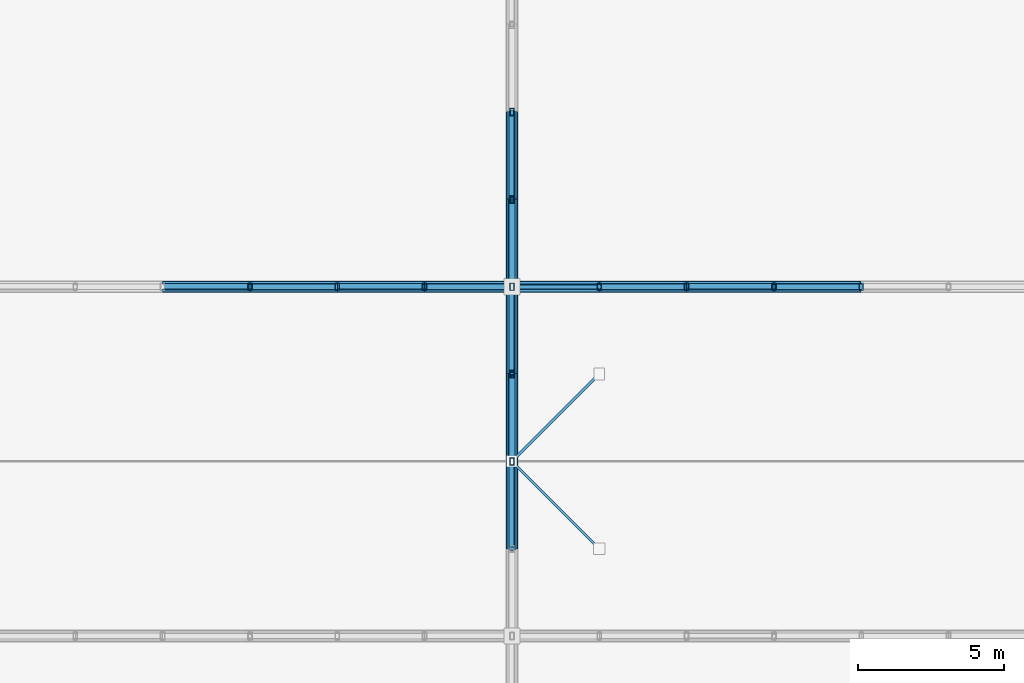
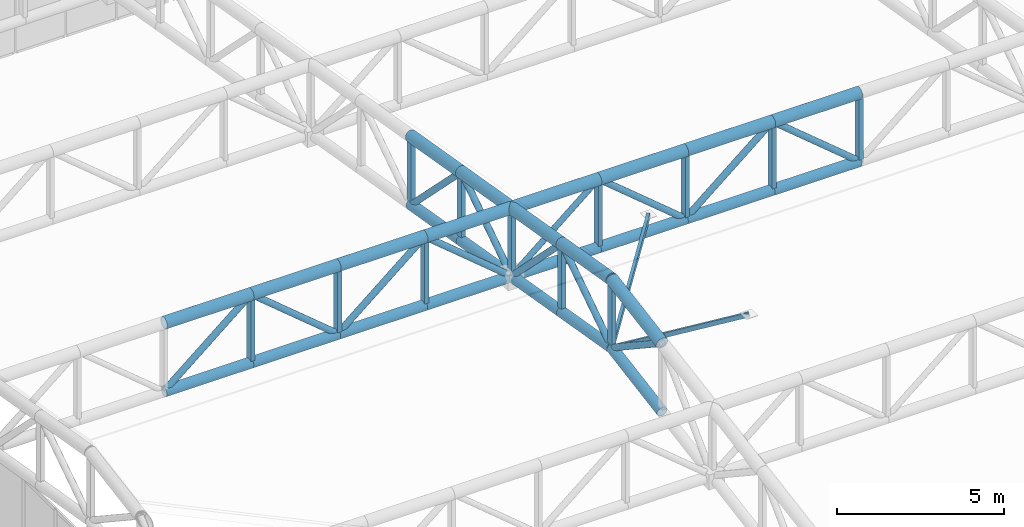
# One storey, part 90 of 239: 53 members.
"""IFC4 building model written with IfcOpenShell, lengths in metres."""

import ifcopenshell
import ifcopenshell.guid

model = None  # the IFC model being written
_history = None  # IfcOwnerHistory: only IFC2X3 demands one
_inside = {}  # id of a spatial element -> (the spatial element, [elements in it])
_under = {}  # id of a project, library or spatial element -> (it, [spatial elements below it])
_declared = {}  # id of a project -> (the project, [libraries it declares])
_typed = {}  # id of a type object -> (the type object, [elements of that type])
_made_of = {}  # id of a material, layer set ... -> (it, [elements and type objects made of it])


def new_model(schema):
    """Start an empty IFC model of exactly this schema.

    Asked for "IFC4X3", IfcOpenShell would pick the latest addendum, in which some entities
    have other attributes; the version numbers below select the first issue.
    IFC2X3 requires an IfcOwnerHistory on every rooted entity: one is made here for all.
    """
    global model, _history
    if schema == "IFC4X3":
        model = ifcopenshell.file(schema_version=(4, 3, 0, 0))
    else:
        model = ifcopenshell.file(schema=schema)
    _inside.clear()
    _under.clear()
    _declared.clear()
    _typed.clear()
    _made_of.clear()
    _history = None
    if model.schema == "IFC2X3":
        org = make("IfcOrganization", Name="unknown")
        user = make(
            "IfcPersonAndOrganization",
            ThePerson=make("IfcPerson", FamilyName="unknown"),
            TheOrganization=org,
        )
        app = make(
            "IfcApplication",
            ApplicationDeveloper=org,
            Version="unknown",
            ApplicationFullName="unknown",
            ApplicationIdentifier="unknown",
        )
        _history = make(
            "IfcOwnerHistory",
            OwningUser=user,
            OwningApplication=app,
            ChangeAction="ADDED",
            CreationDate=0,
        )
    return model


def make(cls, **values):
    """One entity of the class cls with the attributes given. An attribute that is None is left unset."""
    return model.create_entity(
        cls, **{name: value for name, value in values.items() if value is not None}
    )


def rooted(cls, **values):
    """An entity with a GlobalId (a new one), such as an element, a storey or a relation."""
    return make(cls, GlobalId=ifcopenshell.guid.new(), OwnerHistory=_history, **values)


def si_unit(unit_type, name, prefix=None):
    """IfcSIUnit, for example si_unit("LENGTHUNIT", "METRE", prefix="MILLI")."""
    return make("IfcSIUnit", UnitType=unit_type, Prefix=prefix, Name=name)


def assignment(units):
    """IfcUnitAssignment: the units of a project."""
    return None if units is None else make("IfcUnitAssignment", Units=units)


def point(xyz):
    """IfcCartesianPoint."""
    return None if xyz is None else make("IfcCartesianPoint", Coordinates=xyz)


def direction(xyz):
    """IfcDirection."""
    return None if xyz is None else make("IfcDirection", DirectionRatios=xyz)


def frame(location, z_axis=None, x_axis=None):
    """IfcAxis2Placement3D, a coordinate frame: its origin and axes. An axis left out is left unset."""
    return make(
        "IfcAxis2Placement3D",
        Location=point(location),
        Axis=direction(z_axis),
        RefDirection=direction(x_axis),
    )


def frame_2d(location, x_axis=None):
    """IfcAxis2Placement2D, a coordinate frame in the plane: its origin and x axis."""
    return make(
        "IfcAxis2Placement2D", Location=point(location), RefDirection=direction(x_axis)
    )


def origin():
    """The frame at (0, 0, 0) with its axes left unset."""
    return frame((0.0, 0.0, 0.0))


def origin_2d():
    """The frame at (0, 0) in the plane with its x axis left unset."""
    return frame_2d((0.0, 0.0))


def place(relative_to, where):
    """IfcLocalPlacement: puts the frame where relative to a parent placement (None: the world)."""
    return make(
        "IfcLocalPlacement", PlacementRelTo=relative_to, RelativePlacement=where
    )


def context(
    kind, dimensions, precision=None, world=None, true_north=None, identifier=None
):
    """IfcGeometricRepresentationContext, for example the 3D "Model" context."""
    return make(
        "IfcGeometricRepresentationContext",
        ContextIdentifier=identifier,
        ContextType=kind,
        CoordinateSpaceDimension=dimensions,
        Precision=precision,
        WorldCoordinateSystem=world,
        TrueNorth=true_north,
    )


def subcontext(parent, identifier, kind, view, scale=None):
    """IfcGeometricRepresentationSubContext, for example "Body" below "Model"."""
    return make(
        "IfcGeometricRepresentationSubContext",
        ContextIdentifier=identifier,
        ContextType=kind,
        ParentContext=parent,
        TargetScale=scale,
        TargetView=view,
    )


def project(units=None, contexts=None):
    """IfcProject with its units and contexts."""
    return rooted(
        "IfcProject",
        Name="project",
        RepresentationContexts=contexts,
        UnitsInContext=assignment(units),
    )


def spatial(cls, under=None, at=None, **own):
    """A site, building, storey or space (cls), placed at a placement, below another one or the project."""
    s = rooted(cls, ObjectPlacement=at, **own)
    if under is not None:
        _under.setdefault(under.id(), (under, []))[1].append(s)
    return s


def profile(cls, at=None, kind="AREA", **sizes):
    """A parametric profile (cls). Its sizes go by their IFC names, for example OverallWidth=200.0."""
    return make(cls, ProfileType=kind, Position=at, **sizes)


def hollow_rectangle(**sizes):
    """IfcRectangleHollowProfileDef."""
    return profile("IfcRectangleHollowProfileDef", **sizes)


def hollow_circle(**sizes):
    """IfcCircleHollowProfileDef."""
    return profile("IfcCircleHollowProfileDef", **sizes)


def extrude(swept, where, along, depth):
    """IfcExtrudedAreaSolid: the profile swept, set in the frame where, extruded along a direction by depth."""
    return make(
        "IfcExtrudedAreaSolid",
        SweptArea=swept,
        Position=where,
        ExtrudedDirection=direction(along),
        Depth=depth,
    )


def shape(context_of_items, identifier, shape_type, items):
    """IfcShapeRepresentation: the items that make up one representation, for example the "Body"."""
    return make(
        "IfcShapeRepresentation",
        ContextOfItems=context_of_items,
        RepresentationIdentifier=identifier,
        RepresentationType=shape_type,
        Items=items,
    )


def material(Name=None, Category=None):
    """IfcMaterial."""
    return make("IfcMaterial", Name=Name, Category=Category)


def material_profile(
    of_material, cross_section, Name=None, Category=None, Priority=None
):
    """IfcMaterialProfile: a cross section and its material."""
    return make(
        "IfcMaterialProfile",
        Name=Name,
        Material=of_material,
        Profile=cross_section,
        Priority=Priority,
        Category=Category,
    )


def profile_set(profiles, Name=None, composite=None):
    """IfcMaterialProfileSet."""
    return make(
        "IfcMaterialProfileSet",
        Name=Name,
        MaterialProfiles=profiles,
        CompositeProfile=composite,
    )


def made_of(thing, what):
    """Note that an element or type object is made of a material, layer set ...; save() writes the relation."""
    if what is not None:
        _made_of.setdefault(what.id(), (what, []))[1].append(thing)
    return thing


def type_object(cls, material=None, **own):
    """A type object (cls), such as IfcWallType, which elements share."""
    return made_of(rooted(cls, **own), material)


def element(
    cls,
    number,
    at=None,
    inside=None,
    cuts=None,
    type_object=None,
    material=None,
    context=None,
    identifier="Body",
    shape_type=None,
    held_by="IfcProductDefinitionShape",
    body=None,
    shapes=None,
    **own,
):
    """One element of the class cls, such as IfcWall. Its Tag is "e" and its number.

    at: its placement. inside: the storey or other place that contains it. cuts: it is an
    opening in that element (IfcRelVoidsElement). A single representation is given by context,
    identifier, shape_type and body (its items); several are given by shapes. held_by: the class
    of the entity that holds the representations. save() writes the other relations.
    """
    e = rooted(cls, Tag="e%d" % number, ObjectPlacement=at, **own)
    if body is not None:
        shapes = [shape(context, identifier, shape_type, body)]
    if shapes is not None:
        e.Representation = make(held_by, Representations=shapes)
    if inside is not None:
        _inside.setdefault(inside.id(), (inside, []))[1].append(e)
    if cuts is not None:
        rooted(
            "IfcRelVoidsElement", RelatingBuildingElement=cuts, RelatedOpeningElement=e
        )
    if type_object is not None:
        _typed.setdefault(type_object.id(), (type_object, []))[1].append(e)
    return made_of(e, material)


def aggregate(whole, parts):
    """IfcRelAggregates: a whole, such as a stair, and the parts it consists of."""
    return rooted("IfcRelAggregates", RelatingObject=whole, RelatedObjects=parts)


def save(model, path):
    """Write the relations noted so far, then the file.

    IfcRelAggregates (storeys below a building ...), IfcRelContainedInSpatialStructure (elements
    in a storey), IfcRelDefinesByType, IfcRelAssociatesMaterial and IfcRelDeclares: one each for
    every whole, place, type object, material and project.
    """
    for whole, parts in _under.values():
        aggregate(whole, parts)
    for where, things in _inside.values():
        rooted(
            "IfcRelContainedInSpatialStructure",
            RelatedElements=things,
            RelatingStructure=where,
        )
    for kind, things in _typed.values():
        rooted("IfcRelDefinesByType", RelatedObjects=things, RelatingType=kind)
    for what, things in _made_of.values():
        rooted("IfcRelAssociatesMaterial", RelatedObjects=things, RelatingMaterial=what)
    for by, libraries in _declared.values():
        rooted("IfcRelDeclares", RelatingContext=by, RelatedDefinitions=libraries)
    model.write(path)


model = new_model("IFC4")

# Units and contexts
model_context = context("Model", 3, precision=1e-05, world=origin(), true_north=direction((0.0, 1.0)))
body_context = subcontext(model_context, "Body", "Model", "MODEL_VIEW")
ifc_project = project(units=[si_unit("LENGTHUNIT", "METRE"), si_unit("AREAUNIT", "SQUARE_METRE"), si_unit("VOLUMEUNIT", "CUBIC_METRE"), si_unit("PLANEANGLEUNIT", "RADIAN"), si_unit("MASSUNIT", "GRAM", prefix="KILO")], contexts=[model_context])

# Site, building, storey
site_placement = place(None, origin())
site = spatial("IfcSite", under=ifc_project, at=site_placement, CompositionType="ELEMENT")
building_placement = place(site_placement, origin())
building = spatial("IfcBuilding", under=site, at=building_placement, Name="Kaldris Quays Convention Centre", CompositionType="ELEMENT")
storey_placement = place(building_placement, frame((0.0, 0.0, 11.39990234375)))
storey = spatial("IfcBuildingStorey", under=building, at=storey_placement, Name="L02", CompositionType="ELEMENT", Elevation=11.39990234375)

# Members
ifc_material = material(Name="Steel S355J2H", Category="steel")
ifc_material_profile_1 = material_profile(ifc_material, hollow_circle(Radius=0.203125, WallThickness=0.01611328125, at=origin_2d()), Name="CHS 406.4x16")
ifc_profile_set_1 = profile_set([ifc_material_profile_1], Name="Steel S355J2H")
member_type_1 = type_object("IfcMemberType", Name="STRUCTURAL MEMBER SC01", PredefinedType="CHORD", material=ifc_profile_set_1)
for number, where, z_axis, x_axis, name in (
    (1, (26.0, 104.0, 15.84326171875), (1.0, 0.0, 0.0), (0.0, 1.0, 0.0), "SF-V1 Top Chord X 171"),
    (2, (29.0, 104.0, 15.84326171875), (1.0, 0.0, 0.0), (0.0, 1.0, 0.0), "SF-V1 Top Chord X 172"),
    (3, (32.0, 104.0, 15.84326171875), (1.0, 0.0, 0.0), (0.0, 1.0, 0.0), "SF-V1 Top Chord X 173"),
    (4, (35.0, 104.0, 15.84326171875), (1.0, 0.0, 0.0), (0.0, 1.0, 0.0), "SF-V1 Top Chord X 174"),
    (5, (38.0, 104.0, 15.84326171875), (1.0, 0.0, 0.0), (0.0, 1.0, 0.0), "SF-V1 Top Chord X 175"),
    (6, (41.0, 104.0, 15.84326171875), (1.0, 0.0, 0.0), (0.0, 1.0, 0.0), "SF-V1 Top Chord X 176"),
    (7, (44.0, 104.0, 15.84326171875), (1.0, 0.0, 0.0), (0.0, 1.0, 0.0), "SF-V1 Top Chord X 177"),
    (8, (47.0, 104.0, 15.84326171875), (1.0, 0.0, 0.0), (0.0, 1.0, 0.0), "SF-V1 Top Chord X 178"),
):
    element("IfcMember", number, at=place(storey_placement, frame(where, z_axis=z_axis, x_axis=x_axis)), inside=storey, type_object=member_type_1, Name=name, PredefinedType="CHORD", context=body_context, shape_type="SweptSolid", body=[
        extrude(hollow_circle(Radius=0.203125, WallThickness=0.01611328125, at=origin_2d()), origin(), (0.0, 0.0, 1.0), 3.0),
    ])
for number, where, z_axis, x_axis, name in (
    (9, (38.0, 95.0, 16.357666015625), (0.0, 0.98562912375, 0.168923741424), (-1.0, 0.0, 0.0), "SF-V1 Top Chord Y 378"),
    (10, (38.0, 98.0, 16.871826171875), (0.0, 0.98562912375, -0.168923741424), (-1.0, 0.0, 0.0), "SF-V1 Top Chord Y 379"),
    (11, (38.0, 101.0, 16.357666015625), (0.0, 0.985615766076, -0.169001661712), (-1.0, 0.0, 0.0), "SF-V1 Top Chord Y 380"),
    (12, (38.0, 104.0, 15.84326171875), (0.0, 0.98562912375, -0.168923741424), (-1.0, 0.0, 0.0), "SF-V1 Top Chord Y 381"),
    (13, (38.0, 107.0, 15.3291015625), (0.0, 0.985615766076, -0.169001661712), (-1.0, 0.0, 0.0), "SF-V1 Top Chord Y 382"),
):
    element("IfcMember", number, at=place(storey_placement, frame(where, z_axis=z_axis, x_axis=x_axis)), inside=storey, type_object=member_type_1, Name=name, PredefinedType="CHORD", context=body_context, shape_type="SweptSolid", body=[
        extrude(hollow_circle(Radius=0.203125, WallThickness=0.01611328125, at=origin_2d()), origin(), (0.0, 0.0, 1.0), 3.043701171875),
    ])
ifc_material_profile_2 = material_profile(ifc_material, hollow_circle(Radius=0.177734375, WallThickness=0.01611328125, at=origin_2d()), Name="CHS 355.6x16")
ifc_profile_set_2 = profile_set([ifc_material_profile_2], Name="Steel S355J2H")
member_type_2 = type_object("IfcMemberType", Name="STRUCTURAL MEMBER SC02", PredefinedType="CHORD", material=ifc_profile_set_2)
for number, where, z_axis, x_axis, name in (
    (14, (26.0, 104.0, 13.34326171875), (1.0, 0.0, 0.0), (0.0, 1.0, 0.0), "SF-V1 Bottom Chord X 171"),
    (15, (29.0, 104.0, 13.34326171875), (1.0, 0.0, 0.0), (0.0, 1.0, 0.0), "SF-V1 Bottom Chord X 172"),
    (16, (32.0, 104.0, 13.34326171875), (1.0, 0.0, 0.0), (0.0, 1.0, 0.0), "SF-V1 Bottom Chord X 173"),
    (17, (35.0, 104.0, 13.34326171875), (1.0, 0.0, 0.0), (0.0, 1.0, 0.0), "SF-V1 Bottom Chord X 174"),
    (18, (38.0, 104.0, 13.34326171875), (1.0, 0.0, 0.0), (0.0, 1.0, 0.0), "SF-V1 Bottom Chord X 175"),
    (19, (41.0, 104.0, 13.34326171875), (1.0, 0.0, 0.0), (0.0, 1.0, 0.0), "SF-V1 Bottom Chord X 176"),
    (20, (44.0, 104.0, 13.34326171875), (1.0, 0.0, 0.0), (0.0, 1.0, 0.0), "SF-V1 Bottom Chord X 177"),
    (21, (47.0, 104.0, 13.34326171875), (1.0, 0.0, 0.0), (0.0, 1.0, 0.0), "SF-V1 Bottom Chord X 178"),
):
    element("IfcMember", number, at=place(storey_placement, frame(where, z_axis=z_axis, x_axis=x_axis)), inside=storey, type_object=member_type_2, Name=name, PredefinedType="CHORD", context=body_context, shape_type="SweptSolid", body=[
        extrude(hollow_circle(Radius=0.177734375, WallThickness=0.01611328125, at=origin_2d()), origin(), (0.0, 0.0, 1.0), 3.0),
    ])
for number, where, z_axis, x_axis, name in (
    (22, (38.0, 95.0, 13.857666015625), (0.0, 0.98562912375, 0.168923741424), (-1.0, 0.0, 0.0), "SF-V1 Bottom Chord Y 378"),
    (23, (38.0, 98.0, 14.371826171875), (0.0, 0.98562912375, -0.168923741424), (-1.0, 0.0, 0.0), "SF-V1 Bottom Chord Y 379"),
    (24, (38.0, 101.0, 13.857666015625), (0.0, 0.985615766076, -0.169001661712), (-1.0, 0.0, 0.0), "SF-V1 Bottom Chord Y 380"),
    (25, (38.0, 104.0, 13.34326171875), (0.0, 0.98562912375, -0.168923741424), (-1.0, 0.0, 0.0), "SF-V1 Bottom Chord Y 381"),
    (26, (38.0, 107.0, 12.8291015625), (0.0, 0.985615766076, -0.169001661712), (-1.0, 0.0, 0.0), "SF-V1 Bottom Chord Y 382"),
):
    element("IfcMember", number, at=place(storey_placement, frame(where, z_axis=z_axis, x_axis=x_axis)), inside=storey, type_object=member_type_2, Name=name, PredefinedType="CHORD", context=body_context, shape_type="SweptSolid", body=[
        extrude(hollow_circle(Radius=0.177734375, WallThickness=0.01611328125, at=origin_2d()), origin(), (0.0, 0.0, 1.0), 3.043701171875),
    ])
ifc_material_profile_3 = material_profile(ifc_material, hollow_circle(Radius=0.109619140625, WallThickness=0.010009765625, at=origin_2d()), Name="CHS 219.1x10")
ifc_profile_set_3 = profile_set([ifc_material_profile_3], Name="Steel S355J2H")
member_type_3 = type_object("IfcMemberType", Name="STRUCTURAL MEMBER SWB1", PredefinedType="BRACE", material=ifc_profile_set_3)
for number, where, z_axis, x_axis, name in (
    (27, (26.0, 104.0, 13.34326171875), (0.768221279597, 0.0, 0.640184399664), (0.0, 1.0, 0.0), "SF-V1 Web Diagonal X 171"),
    (28, (32.0, 104.0, 13.34326171875), (-0.768221279597, 0.0, 0.640184399664), (0.0, -1.0, 0.0), "SF-V1 Web Diagonal X 172"),
    (29, (32.0, 104.0, 13.34326171875), (0.768221279597, 0.0, 0.640184399664), (0.0, 1.0, 0.0), "SF-V1 Web Diagonal X 173"),
    (30, (38.0, 104.0, 13.34326171875), (-0.768221279597, 0.0, 0.640184399664), (0.0, -1.0, 0.0), "SF-V1 Web Diagonal X 174"),
    (31, (44.0, 104.0, 13.34326171875), (-0.768221279597, 0.0, 0.640184399664), (0.0, -1.0, 0.0), "SF-V1 Web Diagonal X 176"),
    (32, (44.0, 104.0, 13.34326171875), (0.768221279597, 0.0, 0.640184399664), (0.0, 1.0, 0.0), "SF-V1 Web Diagonal X 177"),
    (33, (50.0, 104.0, 13.34326171875), (-0.768221279597, 0.0, 0.640184399664), (0.0, -1.0, 0.0), "SF-V1 Web Diagonal X 178"),
):
    element("IfcMember", number, at=place(storey_placement, frame(where, z_axis=z_axis, x_axis=x_axis)), inside=storey, type_object=member_type_3, Name=name, PredefinedType="BRACE", context=body_context, shape_type="SweptSolid", body=[
        extrude(hollow_circle(Radius=0.109619140625, WallThickness=0.010009765625, at=origin_2d()), origin(), (0.0, 0.0, 1.0), 3.905029296875),
    ])
for number, where, z_axis, x_axis, name in (
    (34, (38.0, 98.0, 14.371826171875), (0.0, -0.833862389808, 0.551972385962), (1.0, 0.0, 0.0), "SF-V1 Web Diagonal Y 378"),
    (35, (38.0, 98.0, 14.371826171875), (0.0, 0.833862389808, 0.551972385962), (-1.0, 0.0, 0.0), "SF-V1 Web Diagonal Y 379"),
):
    element("IfcMember", number, at=place(storey_placement, frame(where, z_axis=z_axis, x_axis=x_axis)), inside=storey, type_object=member_type_3, Name=name, PredefinedType="BRACE", context=body_context, shape_type="SweptSolid", body=[
        extrude(hollow_circle(Radius=0.109619140625, WallThickness=0.010009765625, at=origin_2d()), origin(), (0.0, 0.0, 1.0), 3.59765625),
    ])
member_1_placement = place(storey_placement, frame((38.0, 104.0, 13.34326171875), z_axis=(0.0, -0.705411261057, 0.708798245465), x_axis=(1.0, 0.0, 0.0)))
element("IfcMember", 36, at=member_1_placement, inside=storey, type_object=member_type_3, Name="SF-V1 Web Diagonal Y 380", PredefinedType="BRACE", context=body_context, shape_type="SweptSolid", body=[
    extrude(hollow_circle(Radius=0.109619140625, WallThickness=0.010009765625, at=origin_2d()), origin(), (0.0, 0.0, 1.0), 4.2529296875),
])
member_2_placement = place(storey_placement, frame((38.0, 104.0, 13.34326171875), z_axis=(0.0, 0.833862389808, 0.551972385962), x_axis=(-1.0, 0.0, 0.0)))
element("IfcMember", 37, at=member_2_placement, inside=storey, type_object=member_type_3, Name="SF-V1 Web Diagonal Y 381", PredefinedType="BRACE", context=body_context, shape_type="SweptSolid", body=[
    extrude(hollow_circle(Radius=0.109619140625, WallThickness=0.010009765625, at=origin_2d()), origin(), (0.0, 0.0, 1.0), 3.59765625),
])
member_3_placement = place(storey_placement, frame((38.0, 110.0, 12.314697265625), z_axis=(0.0, -0.705411261057, 0.708798245465), x_axis=(1.0, 0.0, 0.0)))
element("IfcMember", 38, at=member_3_placement, inside=storey, type_object=member_type_3, Name="SF-V1 Web Diagonal Y 382", PredefinedType="BRACE", context=body_context, shape_type="SweptSolid", body=[
    extrude(hollow_circle(Radius=0.109619140625, WallThickness=0.010009765625, at=origin_2d()), origin(), (0.0, 0.0, 1.0), 4.2529296875),
])
ifc_material_profile_4 = material_profile(ifc_material, hollow_circle(Radius=0.096923828125, WallThickness=0.008056640625, at=origin_2d()), Name="CHS 193.7x8")
ifc_profile_set_4 = profile_set([ifc_material_profile_4], Name="Steel S355J2H")
member_type_4 = type_object("IfcMemberType", Name="STRUCTURAL MEMBER SWB3", PredefinedType="BRACE", material=ifc_profile_set_4)
member_4_placement = place(storey_placement, frame((38.0, 104.0, 13.34326171875), z_axis=(0.768221279597, 0.0, 0.640184399664), x_axis=(0.0, 1.0, 0.0)))
element("IfcMember", 39, at=member_4_placement, inside=storey, type_object=member_type_4, Name="SF-V1 Web Diagonal X 175", PredefinedType="BRACE", context=body_context, shape_type="SweptSolid", body=[
    extrude(hollow_circle(Radius=0.096923828125, WallThickness=0.008056640625, at=origin_2d()), origin(), (0.0, 0.0, 1.0), 3.905029296875),
])
ifc_material_profile_5 = material_profile(ifc_material, hollow_rectangle(XDim=0.14990234375, YDim=0.25, WallThickness=0.010009765625, at=origin_2d()), Name="RHS 250x150x10")
ifc_profile_set_5 = profile_set([ifc_material_profile_5], Name="Steel S355J2H")
member_type_5 = type_object("IfcMemberType", Name="STRUCTURAL MEMBER TTV1", PredefinedType="POST", material=ifc_profile_set_5)
for number, where, z_axis, x_axis, name in (
    (40, (29.0, 104.0, 13.34326171875), (0.0, 0.0, 1.0), (1.0, 0.0, 0.0), "SF-V1 Space-Frame Post 50"),
    (41, (32.0, 104.0, 13.34326171875), (0.0, 0.0, 1.0), (1.0, 0.0, 0.0), "SF-V1 Space-Frame Post 58"),
    (42, (35.0, 104.0, 13.34326171875), (0.0, 0.0, 1.0), (1.0, 0.0, 0.0), "SF-V1 Space-Frame Post 66"),
    (43, (38.0, 98.0, 14.371826171875), (0.0, 0.0, 1.0), (1.0, 0.0, 0.0), "SF-V1 Space-Frame Post 84"),
    (44, (38.0, 101.0, 13.857666015625), (0.0, 0.0, 1.0), (1.0, 0.0, 0.0), "SF-V1 Space-Frame Post 85"),
    (45, (38.0, 104.0, 13.34326171875), (0.0, 0.0, 1.0), (1.0, 0.0, 0.0), "SF-V1 Space-Frame Post 86"),
    (46, (38.0, 107.0, 12.8291015625), (0.0, 0.0, 1.0), (1.0, 0.0, 0.0), "SF-V1 Space-Frame Post 87"),
    (47, (38.0, 110.0, 12.314697265625), (0.0, 0.0, 1.0), (1.0, 0.0, 0.0), "SF-V1 Space-Frame Post 88"),
    (48, (41.0, 104.0, 13.34326171875), (0.0, 0.0, 1.0), (1.0, 0.0, 0.0), "SF-V1 Space-Frame Post 103"),
    (49, (44.0, 104.0, 13.34326171875), (0.0, 0.0, 1.0), (1.0, 0.0, 0.0), "SF-V1 Space-Frame Post 111"),
    (50, (47.0, 104.0, 13.34326171875), (0.0, 0.0, 1.0), (1.0, 0.0, 0.0), "SF-V1 Space-Frame Post 119"),
    (51, (50.0, 104.0, 13.34326171875), (0.0, 0.0, 1.0), (1.0, 0.0, 0.0), "SF-V1 Space-Frame Post 127"),
):
    element("IfcMember", number, at=place(storey_placement, frame(where, z_axis=z_axis, x_axis=x_axis)), inside=storey, type_object=member_type_5, Name=name, PredefinedType="POST", context=body_context, shape_type="SweptSolid", body=[
        extrude(hollow_rectangle(XDim=0.14990234375, YDim=0.25, WallThickness=0.010009765625, at=origin_2d()), origin(), (0.0, 0.0, 1.0), 2.5),
    ])
ifc_material_profile_6 = material_profile(ifc_material, hollow_rectangle(XDim=0.10009765625, YDim=0.199951171875, WallThickness=0.008056640625, at=origin_2d()), Name="RHS 200x100x8")
ifc_profile_set_6 = profile_set([ifc_material_profile_6], Name="Steel S355J2H")
member_type_6 = type_object("IfcMemberType", Name="STRUCTURAL MEMBER WS01", PredefinedType="STRUT", material=ifc_profile_set_6)
member_5_placement = place(storey_placement, frame((38.0, 98.0, 14.371826171875), z_axis=(0.640424167839, 0.640424167839, 0.423926609798), x_axis=(-0.707106781187, 0.707106781187, 0.0)))
element("IfcMember", 52, at=member_5_placement, inside=storey, type_object=member_type_6, Name="SF-V1 Interior Space-Frame Plan Diagonal Strut 1", PredefinedType="STRUT", context=body_context, shape_type="SweptSolid", body=[
    extrude(hollow_rectangle(XDim=0.10009765625, YDim=0.199951171875, WallThickness=0.008056640625, at=origin_2d()), origin(), (0.0, 0.0, 1.0), 4.684326171875),
])
ifc_material_profile_7 = material_profile(ifc_material, hollow_rectangle(XDim=0.080078125, YDim=0.159912109375, WallThickness=0.00634765625, at=origin_2d()), Name="RHS 160x80x6.3")
ifc_profile_set_7 = profile_set([ifc_material_profile_7], Name="Steel S355J2H")
member_type_7 = type_object("IfcMemberType", Name="STRUCTURAL MEMBER WS02", PredefinedType="STRUT", material=ifc_profile_set_7)
member_6_placement = place(storey_placement, frame((38.0, 98.0, 14.371826171875), z_axis=(0.640424167839, -0.640424167839, 0.423926609798), x_axis=(0.707106781187, 0.707106781187, 0.0)))
element("IfcMember", 53, at=member_6_placement, inside=storey, type_object=member_type_7, Name="SF-V1 Interior Space-Frame Plan Diagonal Strut 2", PredefinedType="STRUT", context=body_context, shape_type="SweptSolid", body=[
    extrude(hollow_rectangle(XDim=0.080078125, YDim=0.159912109375, WallThickness=0.00634765625, at=origin_2d()), origin(), (0.0, 0.0, 1.0), 4.684326171875),
])

save(model, "model.ifc")
